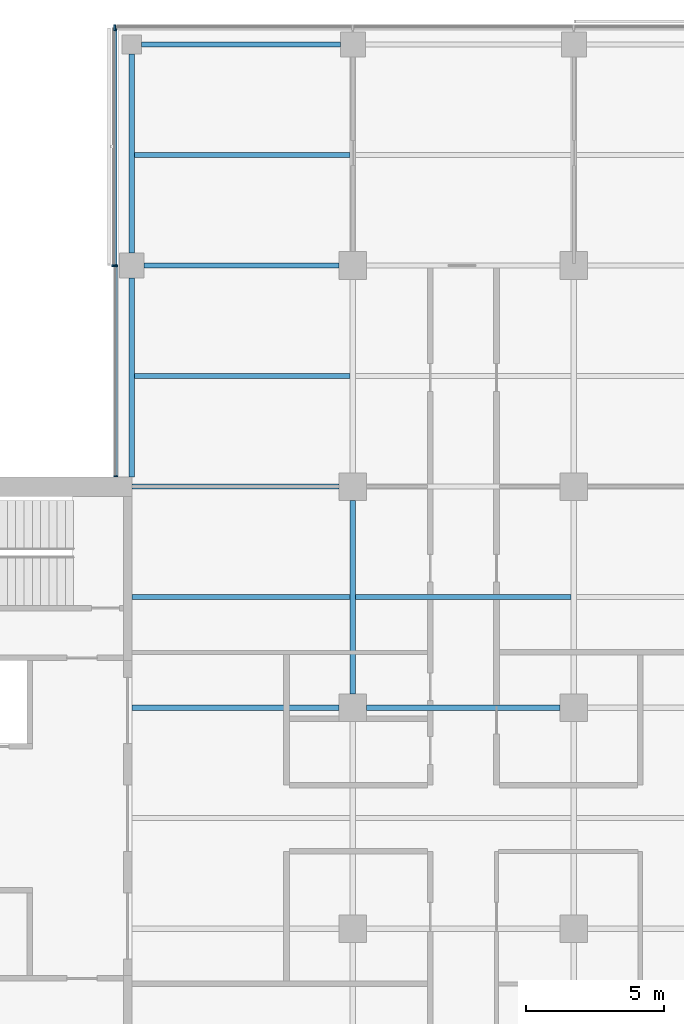
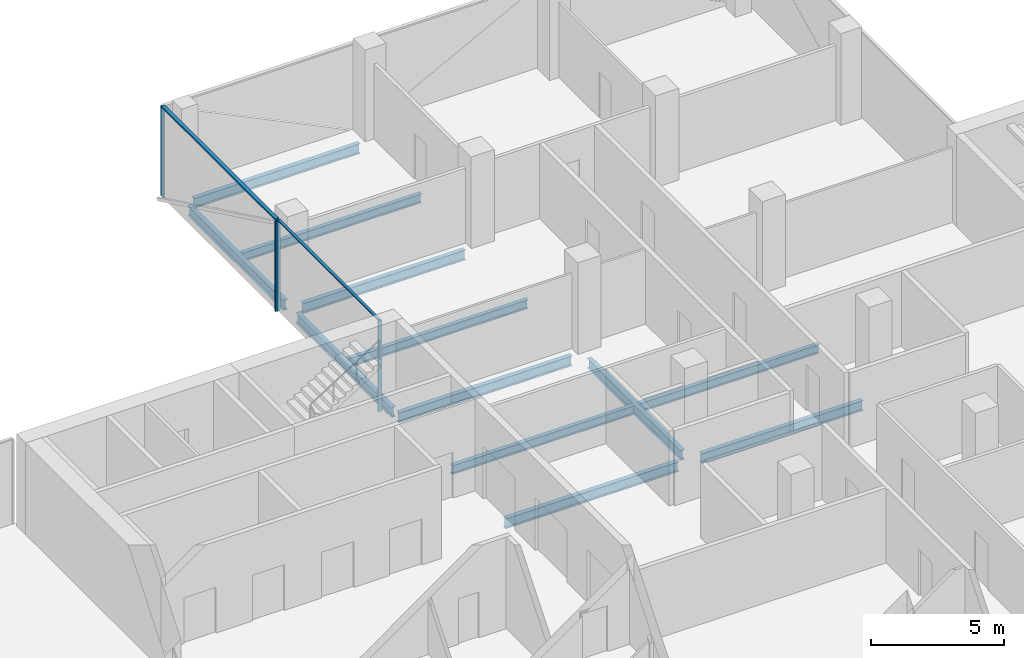
# One storey, part 8 of 22: 12 beams, 6 members, 3 elements without a shape of their own.
"""IFC4 building model written with IfcOpenShell, lengths in metres."""

from ifc_helpers import new_model, si_unit, direction, frame, origin, origin_2d, place, context, subcontext, project, spatial, rectangle, i_section, extrude, material, material_profile, profile_set, type_object, element, aggregate, save


model = new_model("IFC4")

# Units and contexts
model_context = context("Model", 3, precision=1e-05, world=origin(), true_north=direction((0.0, 1.0)))
body_context = subcontext(model_context, "Body", "Model", "MODEL_VIEW")
ifc_project = project(units=[si_unit("LENGTHUNIT", "METRE"), si_unit("AREAUNIT", "SQUARE_METRE"), si_unit("VOLUMEUNIT", "CUBIC_METRE"), si_unit("PLANEANGLEUNIT", "RADIAN"), si_unit("MASSUNIT", "GRAM", prefix="KILO")], contexts=[model_context])

# Site, building, storey
site_placement = place(None, origin())
site = spatial("IfcSite", under=ifc_project, at=site_placement, CompositionType="ELEMENT")
building_placement = place(site_placement, origin())
building = spatial("IfcBuilding", under=site, at=building_placement, Name="Crosswind Convention Tower", CompositionType="ELEMENT")
storey_placement = place(building_placement, frame((0.0, 0.0, 133.699951171875)))
storey = spatial("IfcBuildingStorey", under=building, at=storey_placement, Name="L27", CompositionType="ELEMENT", Elevation=133.699951171875)

# Beams
ifc_material_1 = material(Name="Steel S355", Category="steel")
ifc_material_profile_1 = material_profile(ifc_material_1, i_section(OverallWidth=0.18994140625, OverallDepth=0.45361328125, WebThickness=0.008544921875, FlangeThickness=0.0126953125, FilletRadius=0.01025390625, at=origin_2d()), Name="UB 457x191x67")
ifc_profile_set_1 = profile_set([ifc_material_profile_1], Name="Steel S355")
beam_type_1 = type_object("IfcBeamType", Name="Edge beam UB 457x191x67", PredefinedType="SPANDREL", material=ifc_profile_set_1)
for number, where, z_axis, x_axis, name in (
    (1, (113.0, 112.35009765625, -0.52685546875), (0.0, 1.0, 0.0), (-1.0, 0.0, 0.0), "B16 L27 edge beam 8"),
    (2, (113.0, 120.449951171875, -0.52685546875), (0.0, 1.0, 0.0), (-1.0, 0.0, 0.0), "B16 L27 edge beam 9"),
    (3, (113.35009765625, 128.0, -0.52685546875), (1.0, 0.0, 0.0), (0.0, 1.0, 0.0), "B16 L27 edge beam 11"),
):
    element("IfcBeam", number, at=place(storey_placement, frame(where, z_axis=z_axis, x_axis=x_axis)), inside=storey, type_object=beam_type_1, Name=name, PredefinedType="SPANDREL", context=body_context, shape_type="SweptSolid", body=[
        extrude(i_section(OverallWidth=0.18994140625, OverallDepth=0.45361328125, WebThickness=0.008544921875, FlangeThickness=0.0126953125, FilletRadius=0.01025390625, at=origin_2d()), origin(), (0.0, 0.0, 1.0), 7.199951171875),
    ])
ifc_material_profile_2 = material_profile(ifc_material_1, i_section(OverallWidth=0.19140625, OverallDepth=0.460205078125, WebThickness=0.010009765625, FlangeThickness=0.01611328125, FilletRadius=0.01025390625, at=origin_2d()), Name="UB 457x191x82")
ifc_profile_set_2 = profile_set([ifc_material_profile_2], Name="Steel S355")
beam_type_2 = type_object("IfcBeamType", Name="Girder UB 457x191x82", PredefinedType="BEAM", material=ifc_profile_set_2)
beam_1_placement = place(storey_placement, frame((113.449951171875, 120.0, -0.530029296875), z_axis=(1.0, 0.0, 0.0), x_axis=(0.0, 1.0, 0.0)))
element("IfcBeam", 4, at=beam_1_placement, inside=storey, type_object=beam_type_2, Name="B3 L27 girder 2", PredefinedType="BEAM", context=body_context, shape_type="SweptSolid", body=[
    extrude(i_section(OverallWidth=0.19140625, OverallDepth=0.460205078125, WebThickness=0.010009765625, FlangeThickness=0.01611328125, FilletRadius=0.01025390625, at=origin_2d()), origin(), (0.0, 0.0, 1.0), 7.050048828125),
])
for number, where, z_axis, x_axis, name in (
    (5, (121.0, 104.5, -0.530029296875), (0.0, 1.0, 0.0), (-1.0, 0.0, 0.0), "B3 L27 girder 7"),
    (6, (121.5, 104.0, -0.530029296875), (1.0, 0.0, 0.0), (0.0, 1.0, 0.0), "B3 L27 girder 13"),
):
    element("IfcBeam", number, at=place(storey_placement, frame(where, z_axis=z_axis, x_axis=x_axis)), inside=storey, type_object=beam_type_2, Name=name, PredefinedType="BEAM", context=body_context, shape_type="SweptSolid", body=[
        extrude(i_section(OverallWidth=0.19140625, OverallDepth=0.460205078125, WebThickness=0.010009765625, FlangeThickness=0.01611328125, FilletRadius=0.01025390625, at=origin_2d()), origin(), (0.0, 0.0, 1.0), 7.0),
    ])
ifc_material_profile_3 = material_profile(ifc_material_1, i_section(OverallWidth=0.19189453125, OverallDepth=0.463623046875, WebThickness=0.010498046875, FlangeThickness=0.017578125, FilletRadius=0.01025390625, at=origin_2d()), Name="UB 457x191x90")
ifc_profile_set_3 = profile_set([ifc_material_profile_3], Name="Steel S355")
beam_type_3 = type_object("IfcBeamType", Name="Girder at core wall UB 457x191x90", PredefinedType="BEAM", material=ifc_profile_set_3)
for number, where, z_axis, x_axis, name in (
    (7, (113.0, 104.0, -0.53173828125), (1.0, 0.0, 0.0), (0.0, 1.0, 0.0), "B24 L27 girder at core wall 5"),
    (8, (113.0, 112.0, -0.53173828125), (1.0, 0.0, 0.0), (0.0, 1.0, 0.0), "B24 L27 girder at core wall 6"),
):
    element("IfcBeam", number, at=place(storey_placement, frame(where, z_axis=z_axis, x_axis=x_axis)), inside=storey, type_object=beam_type_3, Name=name, PredefinedType="BEAM", context=body_context, shape_type="SweptSolid", body=[
        extrude(i_section(OverallWidth=0.19189453125, OverallDepth=0.463623046875, WebThickness=0.010498046875, FlangeThickness=0.017578125, FilletRadius=0.01025390625, at=origin_2d()), origin(), (0.0, 0.0, 1.0), 7.5),
    ])

# Curtain wall, members
ifc_material_2 = material(Name="Aluminium unitised curtain wall", Category="aluminium")
curtain_wall_type_1 = type_object("IfcCurtainWallType", Name="CORE END SLOT WALL 160", PredefinedType="USERDEFINED", material=ifc_material_2)
curtain_wall_1_placement = place(storey_placement, origin())
curtain_wall_1 = element("IfcCurtainWall", 9, at=curtain_wall_1_placement, inside=storey, type_object=curtain_wall_type_1, Name="CW6 L27 N-W.1-2 slot", ObjectType="UNITISED", PredefinedType="USERDEFINED")
ifc_material_3 = material(Name="Aluminium mullion", Category="aluminium")
ifc_material_profile_4 = material_profile(ifc_material_3, rectangle(XDim=0.159912109375, YDim=0.050048828125, at=origin_2d()), Name="AL 160X50")
ifc_profile_set_4 = profile_set([ifc_material_profile_4], Name="Aluminium mullion")
member_type_1 = type_object("IfcMemberType", Name="MULLION 50X160", PredefinedType="MULLION", material=ifc_profile_set_4)
member_1_placement = place(storey_placement, frame((112.419921875, 119.97509765625, -0.300048828125), z_axis=(0.0, 0.0, 1.0), x_axis=(-1.0, 0.0, 0.0)))
member_1 = element("IfcMember", 10, at=member_1_placement, type_object=member_type_1, Name="CW6 mullion 1", PredefinedType="MULLION", context=body_context, shape_type="SweptSolid", body=[
    extrude(rectangle(XDim=0.159912109375, YDim=0.050048828125, at=origin_2d()), origin(), (0.0, 0.0, 1.0), 4.150146484375),
])
member_2_placement = place(storey_placement, frame((112.419921875, 112.375, -0.300048828125), z_axis=(0.0, 0.0, 1.0), x_axis=(-1.0, 0.0, 0.0)))
member_2 = element("IfcMember", 11, at=member_2_placement, type_object=member_type_1, Name="CW6 mullion 2", PredefinedType="MULLION", context=body_context, shape_type="SweptSolid", body=[
    extrude(rectangle(XDim=0.159912109375, YDim=0.050048828125, at=origin_2d()), origin(), (0.0, 0.0, 1.0), 4.150146484375),
])

# Curtain wall, member
curtain_wall_type_2 = type_object("IfcCurtainWallType", Name="OFFICE UNITISED WALL 220", PredefinedType="USERDEFINED", material=ifc_material_2)
curtain_wall_2_placement = place(storey_placement, origin())
curtain_wall_2 = element("IfcCurtainWall", 12, at=curtain_wall_2_placement, inside=storey, type_object=curtain_wall_type_2, Name="CW3 L27 N-TIP 1", ObjectType="UNITISED", PredefinedType="USERDEFINED")
ifc_material_profile_5 = material_profile(ifc_material_3, rectangle(XDim=0.219970703125, YDim=0.070068359375, at=origin_2d()), Name="AL 220X70")
ifc_profile_set_5 = profile_set([ifc_material_profile_5], Name="Aluminium mullion")
member_type_2 = type_object("IfcMemberType", Name="MULLION 70X220", PredefinedType="MULLION", material=ifc_profile_set_5)
member_3_placement = place(storey_placement, frame((112.389892578125, 128.610107421875, -0.300048828125), z_axis=(0.0, 0.0, 1.0), x_axis=(0.0, 1.0, 0.0)))
member_3 = element("IfcMember", 13, at=member_3_placement, type_object=member_type_2, Name="CW3 mullion 4", PredefinedType="MULLION", context=body_context, shape_type="SweptSolid", body=[
    extrude(rectangle(XDim=0.219970703125, YDim=0.070068359375, at=origin_2d()), origin(), (0.0, 0.0, 1.0), 4.130126953125),
])
aggregate(curtain_wall_2, [member_3])

curtain_wall_3_placement = place(storey_placement, origin())
curtain_wall_3 = element("IfcCurtainWall", 14, at=curtain_wall_3_placement, inside=storey, type_object=curtain_wall_type_2, Name="CW3 L27 N-W 1", ObjectType="UNITISED", PredefinedType="USERDEFINED")
member_4_placement = place(storey_placement, frame((112.389892578125, 120.0, -0.300048828125), z_axis=(0.0, 0.0, 1.0), x_axis=(-1.0, 0.0, 0.0)))
member_4 = element("IfcMember", 15, at=member_4_placement, type_object=member_type_2, Name="CW3 mullion 2", PredefinedType="MULLION", context=body_context, shape_type="SweptSolid", body=[
    extrude(rectangle(XDim=0.219970703125, YDim=0.070068359375, at=origin_2d()), origin(), (0.0, 0.0, 1.0), 4.130126953125),
])

# Beams
ifc_material_profile_6 = material_profile(ifc_material_1, i_section(OverallWidth=0.177734375, OverallDepth=0.406494140625, WebThickness=0.0078125, FlangeThickness=0.0126953125, FilletRadius=0.01025390625, at=origin_2d()), Name="UB 406x178x60")
ifc_profile_set_6 = profile_set([ifc_material_profile_6], Name="Steel S355")
beam_type_4 = type_object("IfcBeamType", Name="Secondary beam UB 406x178x60", PredefinedType="JOIST", material=ifc_profile_set_6)
beam_2_placement = place(storey_placement, frame((113.0, 108.0, -0.503173828125), z_axis=(1.0, 0.0, 0.0), x_axis=(0.0, 1.0, 0.0)))
element("IfcBeam", 16, at=beam_2_placement, inside=storey, type_object=beam_type_4, Name="B10 L27 secondary beam 6", PredefinedType="JOIST", context=body_context, shape_type="SweptSolid", body=[
    extrude(i_section(OverallWidth=0.177734375, OverallDepth=0.406494140625, WebThickness=0.0078125, FlangeThickness=0.0126953125, FilletRadius=0.01025390625, at=origin_2d()), origin(), (0.0, 0.0, 1.0), 7.904296875),
])
for number, where, z_axis, x_axis, name in (
    (17, (113.094970703125, 116.0, -0.503173828125), (1.0, 0.0, 0.0), (0.0, 1.0, 0.0), "B10 L27 secondary beam 9"),
    (18, (113.094970703125, 124.0, -0.503173828125), (1.0, 0.0, 0.0), (0.0, 1.0, 0.0), "B10 L27 secondary beam 10"),
):
    element("IfcBeam", number, at=place(storey_placement, frame(where, z_axis=z_axis, x_axis=x_axis)), inside=storey, type_object=beam_type_4, Name=name, PredefinedType="JOIST", context=body_context, shape_type="SweptSolid", body=[
        extrude(i_section(OverallWidth=0.177734375, OverallDepth=0.406494140625, WebThickness=0.0078125, FlangeThickness=0.0126953125, FilletRadius=0.01025390625, at=origin_2d()), origin(), (0.0, 0.0, 1.0), 7.809326171875),
    ])
beam_3_placement = place(storey_placement, frame((121.095703125, 108.0, -0.503173828125), z_axis=(1.0, 0.0, 0.0), x_axis=(0.0, 1.0, 0.0)))
element("IfcBeam", 19, at=beam_3_placement, inside=storey, type_object=beam_type_4, Name="B10 L27 secondary beam 15", PredefinedType="JOIST", context=body_context, shape_type="SweptSolid", body=[
    extrude(i_section(OverallWidth=0.177734375, OverallDepth=0.406494140625, WebThickness=0.0078125, FlangeThickness=0.0126953125, FilletRadius=0.01025390625, at=origin_2d()), origin(), (0.0, 0.0, 1.0), 7.80859375),
])

# Member
ifc_material_4 = material(Name="Aluminium transom", Category="aluminium")
ifc_material_profile_7 = material_profile(ifc_material_4, rectangle(XDim=0.1201171875, YDim=0.050048828125, at=origin_2d()), Name="AL 120X50")
ifc_profile_set_7 = profile_set([ifc_material_profile_7], Name="Aluminium transom")
member_type_3 = type_object("IfcMemberType", Name="TRANSOM 50X120", PredefinedType="USERDEFINED", material=ifc_profile_set_7)
member_5_placement = place(storey_placement, frame((112.419921875, 119.949951171875, 3.875), z_axis=(0.0, -1.0, 0.0), x_axis=(1.0, 0.0, 0.0)))
member_5 = element("IfcMember", 20, at=member_5_placement, type_object=member_type_3, Name="CW6 transom", ObjectType="TRANSOM", PredefinedType="USERDEFINED", context=body_context, shape_type="SweptSolid", body=[
    extrude(rectangle(XDim=0.1201171875, YDim=0.050048828125, at=origin_2d()), origin(), (0.0, 0.0, 1.0), 7.550048828125),
])

aggregate(curtain_wall_1, [member_1, member_2, member_5])

ifc_material_profile_8 = material_profile(ifc_material_4, rectangle(XDim=0.159912109375, YDim=0.070068359375, at=origin_2d()), Name="AL 160X70")
ifc_profile_set_8 = profile_set([ifc_material_profile_8], Name="Aluminium transom")
member_type_4 = type_object("IfcMemberType", Name="TRANSOM 70X160", PredefinedType="USERDEFINED", material=ifc_profile_set_8)
member_6_placement = place(storey_placement, frame((112.389892578125, 128.574951171875, 3.864990234375), z_axis=(0.0, -1.0, 0.0), x_axis=(1.0, 0.0, 0.0)))
member_6 = element("IfcMember", 21, at=member_6_placement, type_object=member_type_4, Name="CW3 transom", ObjectType="TRANSOM", PredefinedType="USERDEFINED", context=body_context, shape_type="SweptSolid", body=[
    extrude(rectangle(XDim=0.159912109375, YDim=0.070068359375, at=origin_2d()), origin(), (0.0, 0.0, 1.0), 8.5400390625),
])

aggregate(curtain_wall_3, [member_4, member_6])

save(model, "model.ifc")
